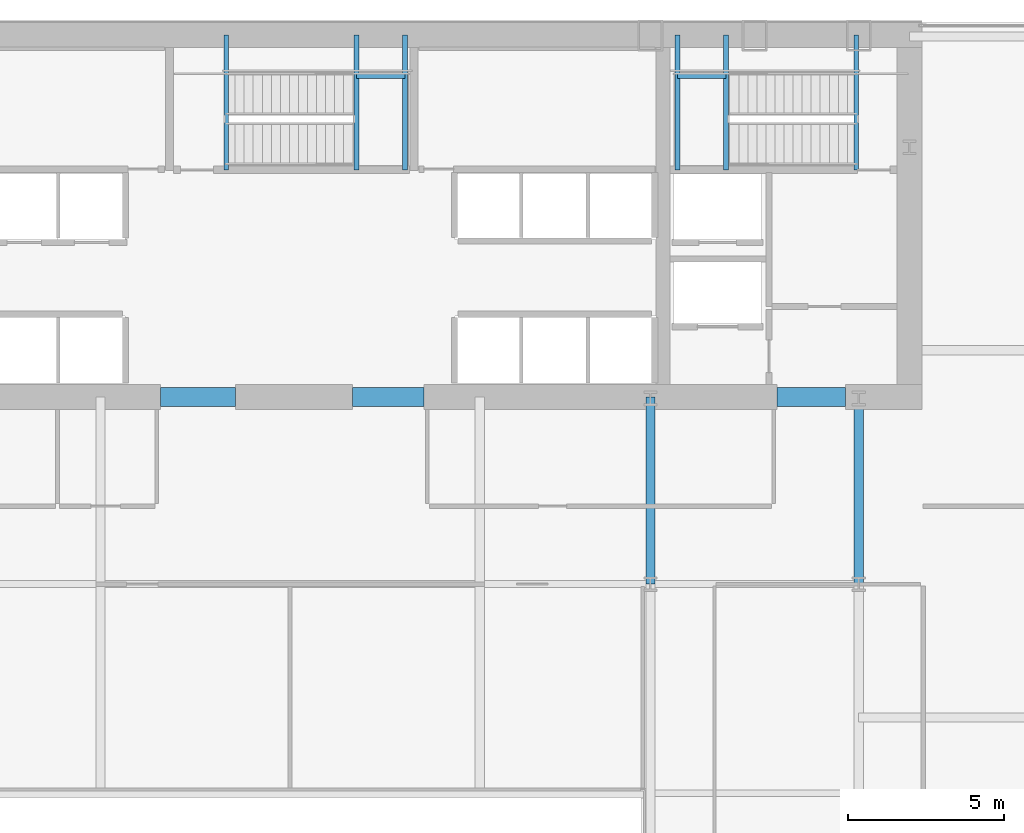
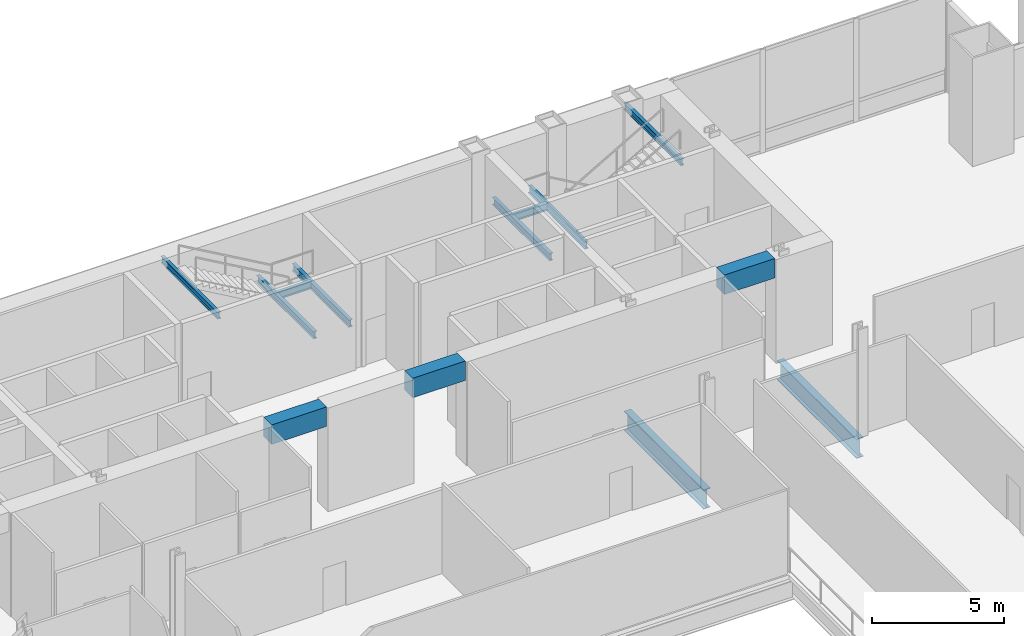
# One storey, part 12 of 25: 13 beams.
"""IFC4 building model written with IfcOpenShell, lengths in metres."""

from ifc_helpers import new_model, si_unit, direction, frame, origin, origin_2d, place, context, subcontext, project, spatial, rectangle, i_section, extrude, material, material_profile, profile_set, type_object, element, save


model = new_model("IFC4")

# Units and contexts
model_context = context("Model", 3, precision=1e-05, world=origin(), true_north=direction((0.0, 1.0)))
body_context = subcontext(model_context, "Body", "Model", "MODEL_VIEW")
ifc_project = project(units=[si_unit("LENGTHUNIT", "METRE"), si_unit("AREAUNIT", "SQUARE_METRE"), si_unit("VOLUMEUNIT", "CUBIC_METRE"), si_unit("PLANEANGLEUNIT", "RADIAN"), si_unit("MASSUNIT", "GRAM", prefix="KILO")], contexts=[model_context])

# Site, building, storey
site_placement = place(None, origin())
site = spatial("IfcSite", under=ifc_project, at=site_placement, CompositionType="ELEMENT")
building_placement = place(site_placement, origin())
building = spatial("IfcBuilding", under=site, at=building_placement, Name="Khoronbel Lancet Exchange", CompositionType="ELEMENT")
storey_placement = place(building_placement, frame((0.0, 0.0, 15.39990234375)))
storey = spatial("IfcBuildingStorey", under=building, at=storey_placement, Name="L03", CompositionType="ELEMENT", Elevation=15.39990234375)

# Beams
ifc_material_1 = material(Name="Steel S355", Category="steel")
ifc_material_profile_1 = material_profile(ifc_material_1, i_section(OverallWidth=0.300048828125, OverallDepth=0.89990234375, WebThickness=0.0185546875, FlangeThickness=0.034912109375, at=origin_2d()), Name="HEB 900")
ifc_profile_set_1 = profile_set([ifc_material_profile_1], Name="Steel S355")
beam_type_1 = type_object("IfcBeamType", Name="BM-BG1", PredefinedType="BEAM", material=ifc_profile_set_1)
for number, where, z_axis, x_axis, name in (
    (1, (48.0, 35.699951171875, -0.64990234375), (0.0, 1.0, 0.0), (-1.0, 0.0, 0.0), "Level L03 spine tie girder GN5"),
    (2, (54.675048828125, 35.699951171875, -0.64990234375), (0.0, 1.0, 0.0), (-1.0, 0.0, 0.0), "Level L03 spine tie girder GN6"),
):
    element("IfcBeam", number, at=place(storey_placement, frame(where, z_axis=z_axis, x_axis=x_axis)), inside=storey, type_object=beam_type_1, Name=name, PredefinedType="BEAM", context=body_context, shape_type="SweptSolid", body=[
        extrude(i_section(OverallWidth=0.300048828125, OverallDepth=0.89990234375, WebThickness=0.0185546875, FlangeThickness=0.034912109375, at=origin_2d()), origin(), (0.0, 0.0, 1.0), 6.0),
    ])
ifc_material_profile_2 = material_profile(ifc_material_1, i_section(OverallWidth=0.159912109375, OverallDepth=0.330078125, WebThickness=0.007568359375, FlangeThickness=0.011474609375, at=origin_2d()), Name="IPE 330")
ifc_profile_set_2 = profile_set([ifc_material_profile_2], Name="Steel S355")
beam_type_2 = type_object("IfcBeamType", Name="BM-BJ7", PredefinedType="JOIST", material=ifc_profile_set_2)
for number, where, z_axis, x_axis, name in (
    (3, (50.419921875, 48.97998046875, 2.135009765625), (0.0, 1.0, 0.0), (-1.0, 0.0, 0.0), "Level L03 stair ST2 landing bearer beam 1"),
    (4, (48.8701171875, 48.97998046875, 2.135009765625), (0.0, 1.0, 0.0), (-1.0, 0.0, 0.0), "Level L03 stair ST2 rear landing bearer beam 1"),
):
    element("IfcBeam", number, at=place(storey_placement, frame(where, z_axis=z_axis, x_axis=x_axis)), inside=storey, type_object=beam_type_2, Name=name, PredefinedType="JOIST", context=body_context, shape_type="SweptSolid", body=[
        extrude(i_section(OverallWidth=0.159912109375, OverallDepth=0.330078125, WebThickness=0.007568359375, FlangeThickness=0.011474609375, at=origin_2d()), origin(), (0.0, 0.0, 1.0), 4.320068359375),
    ])
beam_1_placement = place(storey_placement, frame((48.8701171875, 51.97998046875, 2.135009765625), z_axis=(1.0, 0.0, 0.0), x_axis=(0.0, 1.0, 0.0)))
element("IfcBeam", 5, at=beam_1_placement, inside=storey, type_object=beam_type_2, Name="Level L03 stair ST2 landing cross trimmer beam 1", PredefinedType="JOIST", context=body_context, shape_type="SweptSolid", body=[
    extrude(i_section(OverallWidth=0.159912109375, OverallDepth=0.330078125, WebThickness=0.007568359375, FlangeThickness=0.011474609375, at=origin_2d()), origin(), (0.0, 0.0, 1.0), 1.5498046875),
])
for number, where, z_axis, x_axis, name in (
    (6, (38.580078125, 48.97998046875, 2.135009765625), (0.0, 1.0, 0.0), (-1.0, 0.0, 0.0), "Level L03 stair ST3 landing bearer beam 1"),
    (7, (40.1298828125, 48.97998046875, 2.135009765625), (0.0, 1.0, 0.0), (-1.0, 0.0, 0.0), "Level L03 stair ST3 rear landing bearer beam 1"),
):
    element("IfcBeam", number, at=place(storey_placement, frame(where, z_axis=z_axis, x_axis=x_axis)), inside=storey, type_object=beam_type_2, Name=name, PredefinedType="JOIST", context=body_context, shape_type="SweptSolid", body=[
        extrude(i_section(OverallWidth=0.159912109375, OverallDepth=0.330078125, WebThickness=0.007568359375, FlangeThickness=0.011474609375, at=origin_2d()), origin(), (0.0, 0.0, 1.0), 4.320068359375),
    ])
beam_2_placement = place(storey_placement, frame((38.580078125, 51.97998046875, 2.135009765625), z_axis=(1.0, 0.0, 0.0), x_axis=(0.0, 1.0, 0.0)))
element("IfcBeam", 8, at=beam_2_placement, inside=storey, type_object=beam_type_2, Name="Level L03 stair ST3 landing cross trimmer beam 1", PredefinedType="JOIST", context=body_context, shape_type="SweptSolid", body=[
    extrude(i_section(OverallWidth=0.159912109375, OverallDepth=0.330078125, WebThickness=0.007568359375, FlangeThickness=0.011474609375, at=origin_2d()), origin(), (0.0, 0.0, 1.0), 1.5498046875),
])
ifc_material_profile_3 = material_profile(ifc_material_1, i_section(OverallWidth=0.14990234375, OverallDepth=0.300048828125, WebThickness=0.007080078125, FlangeThickness=0.0107421875, at=origin_2d()), Name="IPE 300")
ifc_profile_set_3 = profile_set([ifc_material_profile_3], Name="Steel S355")
beam_type_3 = type_object("IfcBeamType", Name="BM-BJ8", PredefinedType="JOIST", material=ifc_profile_set_3)
for number, where, z_axis, x_axis, name in (
    (9, (54.60009765625, 48.97998046875, 4.5), (0.0, 1.0, 0.0), (-1.0, 0.0, 0.0), "Level L03 stair ST2 upper-flight arrival trimmer beam"),
    (10, (34.39990234375, 48.97998046875, 4.5), (0.0, 1.0, 0.0), (-1.0, 0.0, 0.0), "Level L03 stair ST3 upper-flight arrival trimmer beam"),
):
    element("IfcBeam", number, at=place(storey_placement, frame(where, z_axis=z_axis, x_axis=x_axis)), inside=storey, type_object=beam_type_3, Name=name, PredefinedType="JOIST", context=body_context, shape_type="SweptSolid", body=[
        extrude(i_section(OverallWidth=0.14990234375, OverallDepth=0.300048828125, WebThickness=0.007080078125, FlangeThickness=0.0107421875, at=origin_2d()), origin(), (0.0, 0.0, 1.0), 4.320068359375),
    ])
ifc_material_2 = material(Name="Concrete C80/95", Category="concrete")
ifc_material_profile_4 = material_profile(ifc_material_2, rectangle(XDim=0.60009765625, YDim=0.89990234375, at=origin_2d()), Name="RC 600x900")
ifc_profile_set_4 = profile_set([ifc_material_profile_4], Name="Concrete C80/95")
beam_type_4 = type_object("IfcBeamType", Name="BM-BL1", PredefinedType="LINTEL", material=ifc_profile_set_4)
beam_3_placement = place(storey_placement, frame((32.300048828125, 41.699951171875, 4.330078125), z_axis=(1.0, 0.0, 0.0), x_axis=(0.0, 1.0, 0.0)))
element("IfcBeam", 11, at=beam_3_placement, inside=storey, type_object=beam_type_4, Name="Level L03 rear core coupling lintel L2", PredefinedType="LINTEL", context=body_context, shape_type="SweptSolid", body=[
    extrude(rectangle(XDim=0.60009765625, YDim=0.89990234375, at=origin_2d()), origin(), (0.0, 0.0, 1.0), 2.39990234375),
])
beam_4_placement = place(storey_placement, frame((38.449951171875, 41.699951171875, 4.330078125), z_axis=(1.0, 0.0, 0.0), x_axis=(0.0, 1.0, 0.0)))
element("IfcBeam", 12, at=beam_4_placement, inside=storey, type_object=beam_type_4, Name="Level L03 rear core coupling lintel L3", PredefinedType="LINTEL", context=body_context, shape_type="SweptSolid", body=[
    extrude(rectangle(XDim=0.60009765625, YDim=0.89990234375, at=origin_2d()), origin(), (0.0, 0.0, 1.0), 2.300048828125),
])
beam_5_placement = place(storey_placement, frame((52.050048828125, 41.699951171875, 4.330078125), z_axis=(1.0, 0.0, 0.0), x_axis=(0.0, 1.0, 0.0)))
element("IfcBeam", 13, at=beam_5_placement, inside=storey, type_object=beam_type_4, Name="Level L03 rear core coupling lintel L4", PredefinedType="LINTEL", context=body_context, shape_type="SweptSolid", body=[
    extrude(rectangle(XDim=0.60009765625, YDim=0.89990234375, at=origin_2d()), origin(), (0.0, 0.0, 1.0), 2.199951171875),
])

save(model, "model.ifc")
